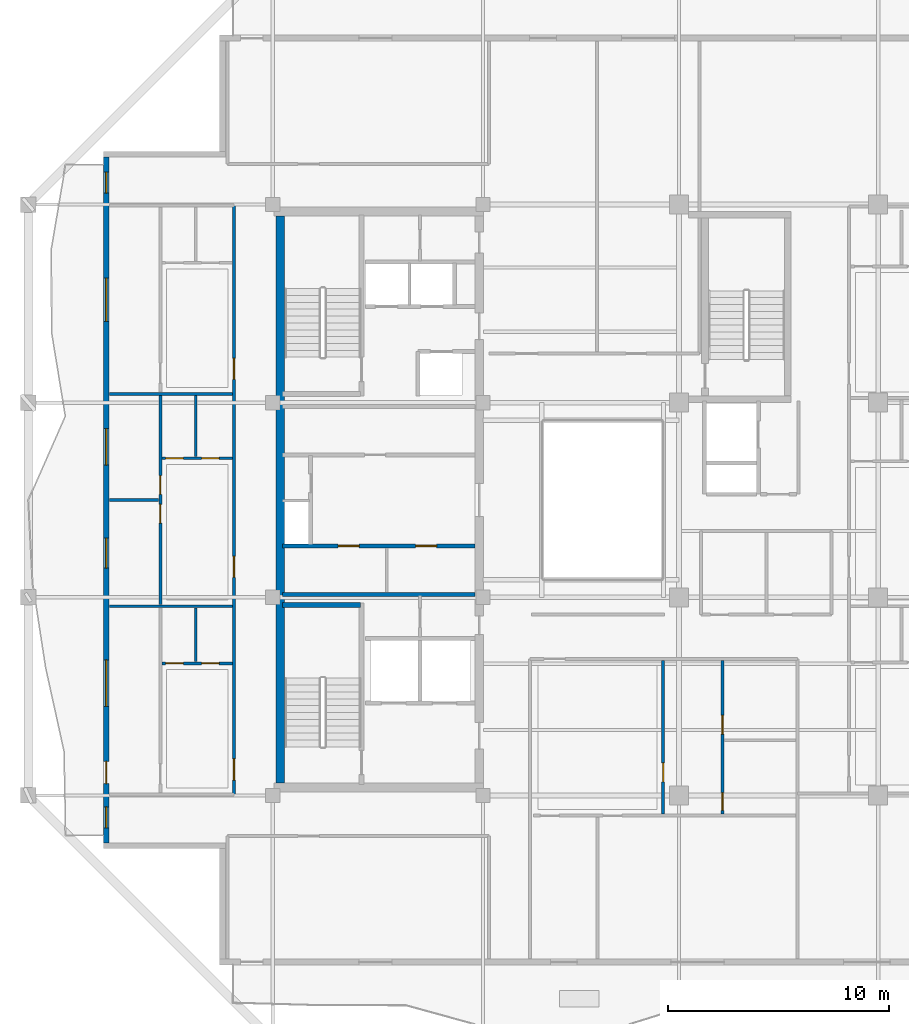
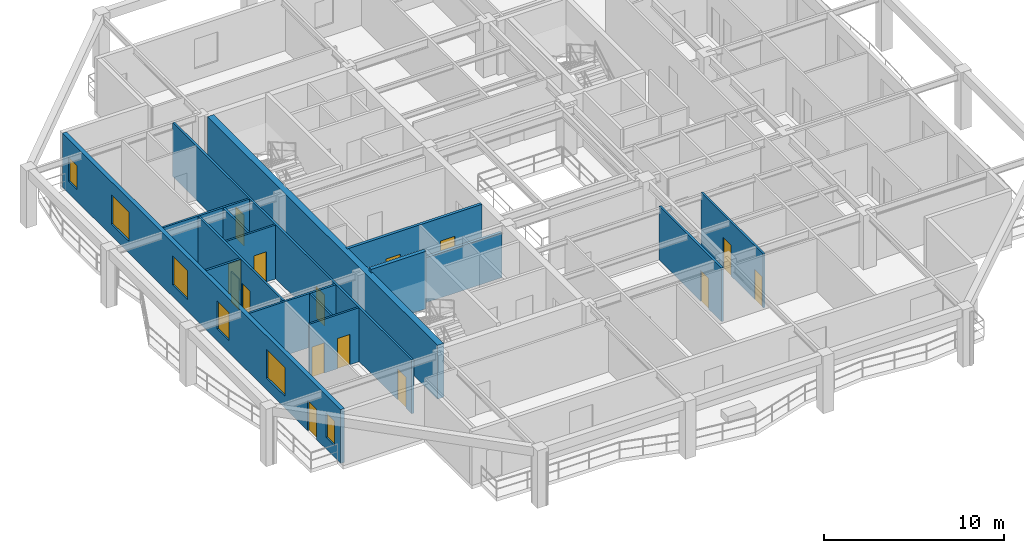
# One storey, part 3 of 13: 16 walls, 15 doors, 6 windows, 21 openings.
"""IFC4 building model written with IfcOpenShell, lengths in metres."""

from ifc_helpers import new_model, si_unit, direction, frame, frame_2d, origin, place, context, subcontext, project, spatial, rectangle, extrude, material, layer, layer_set, type_object, element, fill, save


model = new_model("IFC4")

# Units and contexts
model_context = context("Model", 3, precision=1e-05, world=origin(), true_north=direction((0.0, 1.0)))
body_context = subcontext(model_context, "Body", "Model", "MODEL_VIEW")
ifc_project = project(units=[si_unit("LENGTHUNIT", "METRE"), si_unit("AREAUNIT", "SQUARE_METRE"), si_unit("VOLUMEUNIT", "CUBIC_METRE"), si_unit("PLANEANGLEUNIT", "RADIAN"), si_unit("MASSUNIT", "GRAM", prefix="KILO")], contexts=[model_context])

# Site, building, storey
site_placement = place(None, origin())
site = spatial("IfcSite", under=ifc_project, at=site_placement, CompositionType="ELEMENT")
building_placement = place(site_placement, origin())
building = spatial("IfcBuilding", under=site, at=building_placement, Name="Kundavana Baori Tower", CompositionType="ELEMENT")
storey_placement = place(building_placement, frame((0.0, 0.0, 225.800048828125)))
storey = spatial("IfcBuildingStorey", under=building, at=storey_placement, Name="L55", CompositionType="ELEMENT", Elevation=225.800048828125)

# Walls
ifc_material_1 = material(Name="Concrete C50/60", Category="concrete")
ifc_layer_1 = layer(ifc_material_1, 0.39990234375, Name="WL-CORE-400")
ifc_layer_set_1 = layer_set([ifc_layer_1], Name="Concrete C50/60")
wall_type_1 = type_object("IfcWallType", Name="WL-CORE-400", PredefinedType="SHEAR", material=ifc_layer_set_1)
wall_1_placement = place(storey_placement, frame((15.7900390625, 15.81005859375, 0.0), z_axis=(0.0, 0.0, 1.0), x_axis=(0.0, 1.0, 0.0)))
element("IfcWall", 1, at=wall_1_placement, inside=storey, type_object=wall_type_1, Name="L55 Offset Core West Shear Wall", PredefinedType="SHEAR", context=body_context, shape_type="SweptSolid", body=[
    extrude(rectangle(XDim=25.6298828125, YDim=0.39990234375, at=frame_2d((12.81494140625, 0.0))), origin(), (0.0, 0.0, 1.0), 3.659912109375),
])
wall_2_placement = place(storey_placement, frame((15.89990234375, 23.860107421875, 0.0), z_axis=(0.0, 0.0, 1.0), x_axis=(1.0, 0.0, 0.0)))
element("IfcWall", 2, at=wall_2_placement, inside=storey, type_object=wall_type_1, Name="WL-L55-ST1-N", PredefinedType="SHEAR", context=body_context, shape_type="SweptSolid", body=[
    extrude(rectangle(XDim=3.52001953125, YDim=0.239990234375, at=frame_2d((1.760009765625, 0.0))), origin(), (0.0, 0.0, 1.0), 3.89990234375),
])

# Wall, openings, door, windows
ifc_material_2 = material(Name="Kiln-Fired Terracotta Brick-Slip Masonry on Concrete C40/50", Category="masonry")
ifc_layer_2 = layer(ifc_material_2, 0.260009765625, Name="WL-EXT-BRK-260")
ifc_layer_set_2 = layer_set([ifc_layer_2], Name="Kiln-Fired Terracotta Brick-Slip Masonry on Concrete C40/50")
wall_type_2 = type_object("IfcWallType", Name="WL-EXT-BRK-260", PredefinedType="SOLIDWALL", material=ifc_layer_set_2)
wall_3_placement = place(storey_placement, frame((7.929931640625, 44.090087890625, 0.0), z_axis=(0.0, 0.0, 1.0), x_axis=(0.0, -1.0, 0.0)))
wall_3 = element("IfcWall", 3, at=wall_3_placement, inside=storey, type_object=wall_type_2, Name="L55 Exterior Insulated Facade Wall 10", PredefinedType="SOLIDWALL", context=body_context, shape_type="SweptSolid", body=[
    extrude(rectangle(XDim=30.97998046875, YDim=0.260009765625, at=frame_2d((15.489990234375, 0.0))), origin(), (0.0, 0.0, 1.0), 3.659912109375),
])
opening_1_placement = place(wall_3_placement, frame((29.35498046875, 0.0, 0.800048828125)))
opening_1 = element("IfcOpeningElement", 4, at=opening_1_placement, cuts=wall_3, Name="Opening W-13", PredefinedType="OPENING", context=body_context, shape_type="SweptSolid", body=[
    extrude(rectangle(XDim=0.949951171875, YDim=1.64990234375, at=frame_2d((0.47509765625, 0.824951171875))), frame((0.0, 0.14013671875, 0.0), z_axis=(0.0, -1.0, 0.0), x_axis=(1.0, 0.0, 0.0)), (0.0, 0.0, 1.0), 0.280029296875),
])
opening_2_placement = place(wall_3_placement, frame((27.300048828125, 0.0, 0.0)))
opening_2 = element("IfcOpeningElement", 5, at=opening_2_placement, cuts=wall_3, Name="Opening BD-1", PredefinedType="OPENING", context=body_context, shape_type="SweptSolid", body=[
    extrude(rectangle(XDim=1.0, YDim=2.050048828125, at=frame_2d((0.5, 1.02490234375))), frame((0.0, 0.14013671875, 0.0), z_axis=(0.0, -1.0, 0.0), x_axis=(1.0, 0.0, 0.0)), (0.0, 0.0, 1.0), 0.280029296875),
])
opening_3_placement = place(wall_3_placement, frame((22.715087890625, 0.0, 0.800048828125)))
opening_3 = element("IfcOpeningElement", 6, at=opening_3_placement, cuts=wall_3, Name="Opening W-05", PredefinedType="OPENING", context=body_context, shape_type="SweptSolid", body=[
    extrude(rectangle(XDim=2.10009765625, YDim=1.949951171875, at=frame_2d((1.050048828125, 0.97509765625))), frame((0.0, 0.14013671875, 0.0), z_axis=(0.0, -1.0, 0.0), x_axis=(1.0, 0.0, 0.0)), (0.0, 0.0, 1.0), 0.280029296875),
])
opening_4_placement = place(wall_3_placement, frame((17.215087890625, 0.0, 0.800048828125)))
opening_4 = element("IfcOpeningElement", 7, at=opening_4_placement, cuts=wall_3, Name="Opening W-07", PredefinedType="OPENING", context=body_context, shape_type="SweptSolid", body=[
    extrude(rectangle(XDim=1.35009765625, YDim=1.89990234375, at=frame_2d((0.675048828125, 0.949951171875))), frame((0.0, 0.14013671875, 0.0), z_axis=(0.0, -1.0, 0.0), x_axis=(1.0, 0.0, 0.0)), (0.0, 0.0, 1.0), 0.280029296875),
])
opening_5_placement = place(wall_3_placement, frame((12.264892578125, 0.0, 0.800048828125)))
opening_5 = element("IfcOpeningElement", 8, at=opening_5_placement, cuts=wall_3, Name="Opening W-08", PredefinedType="OPENING", context=body_context, shape_type="SweptSolid", body=[
    extrude(rectangle(XDim=1.64990234375, YDim=1.949951171875, at=frame_2d((0.824951171875, 0.97509765625))), frame((0.0, 0.14013671875, 0.0), z_axis=(0.0, -1.0, 0.0), x_axis=(1.0, 0.0, 0.0)), (0.0, 0.0, 1.0), 0.280029296875),
])
opening_6_placement = place(wall_3_placement, frame((5.465087890625, 0.0, 0.800048828125)))
opening_6 = element("IfcOpeningElement", 9, at=opening_6_placement, cuts=wall_3, Name="Opening W-09", PredefinedType="OPENING", context=body_context, shape_type="SweptSolid", body=[
    extrude(rectangle(XDim=1.949951171875, YDim=2.0, at=frame_2d((0.97509765625, 1.0))), frame((0.0, 0.14013671875, 0.0), z_axis=(0.0, -1.0, 0.0), x_axis=(1.0, 0.0, 0.0)), (0.0, 0.0, 1.0), 0.280029296875),
])
opening_7_placement = place(wall_3_placement, frame((0.675048828125, 0.0, 0.800048828125)))
opening_7 = element("IfcOpeningElement", 10, at=opening_7_placement, cuts=wall_3, Name="Opening W-13", PredefinedType="OPENING", context=body_context, shape_type="SweptSolid", body=[
    extrude(rectangle(XDim=0.949951171875, YDim=1.64990234375, at=frame_2d((0.47509765625, 0.824951171875))), frame((0.0, 0.14013671875, 0.0), z_axis=(0.0, -1.0, 0.0), x_axis=(1.0, 0.0, 0.0)), (0.0, 0.0, 1.0), 0.280029296875),
])
ifc_material_3 = material(Name="Architectural Patinated Bronze Metalwork")
door_type_1 = type_object("IfcDoorType", Name="DR-EXT-LOG-1000", OperationType="NOTDEFINED", PredefinedType="DOOR", material=ifc_material_3)
door_1_placement = place(opening_2_placement, frame((1.0, 0.0, 0.0), z_axis=(0.0, 0.0, 1.0), x_axis=(-1.0, 0.0, 0.0)))
door_1 = element("IfcDoor", 11, at=door_1_placement, inside=storey, type_object=door_type_1, Name="L55 Loggia Balcony Access Door W", OperationType="SINGLE_SWING_LEFT", OverallHeight=2.050048828125, OverallWidth=1.0, PredefinedType="DOOR", context=body_context, shape_type="SweptSolid", body=[
    extrude(rectangle(XDim=1.0, YDim=2.050048828125, at=frame_2d((0.5, 1.02490234375))), frame((0.0, 0.02490234375, 0.0), z_axis=(0.0, -1.0, 0.0), x_axis=(1.0, 0.0, 0.0)), (0.0, 0.0, 1.0), 0.050048828125),
])
fill(opening_2, door_1)
ifc_material_4 = material(Name="Double-Glazed Solar-Control Low-E Insulated Glass", Category="glass")
window_type_1 = type_object("IfcWindowType", Name="WIN-LOG-1350x1900", PartitioningType="SINGLE_PANEL", PredefinedType="WINDOW", material=ifc_material_4)
window_1_placement = place(opening_4_placement, origin())
window_1 = element("IfcWindow", 12, at=window_1_placement, inside=storey, type_object=window_type_1, Name="L55 Recessed Loggia Window W-3", OverallHeight=1.89990234375, OverallWidth=1.35009765625, PartitioningType="SINGLE_PANEL", PredefinedType="WINDOW", context=body_context, shape_type="SweptSolid", body=[
    extrude(rectangle(XDim=1.35009765625, YDim=1.89990234375, at=frame_2d((0.675048828125, 0.949951171875))), frame((0.0, 0.030029296875, 0.0), z_axis=(0.0, -1.0, 0.0), x_axis=(1.0, 0.0, 0.0)), (0.0, 0.0, 1.0), 0.06005859375),
])
fill(opening_4, window_1)
ifc_material_5 = material(Name="Double-Glazed Solar-Control Low-E Insulated Glass", Category="glass")
window_type_2 = type_object("IfcWindowType", Name="WIN-LOG-1650x1950", PartitioningType="SINGLE_PANEL", PredefinedType="WINDOW", material=ifc_material_5)
window_2_placement = place(opening_5_placement, origin())
window_2 = element("IfcWindow", 13, at=window_2_placement, inside=storey, type_object=window_type_2, Name="L55 Recessed Loggia Window W-4", OverallHeight=1.949951171875, OverallWidth=1.64990234375, PartitioningType="SINGLE_PANEL", PredefinedType="WINDOW", context=body_context, shape_type="SweptSolid", body=[
    extrude(rectangle(XDim=1.64990234375, YDim=1.949951171875, at=frame_2d((0.824951171875, 0.97509765625))), frame((0.0, 0.030029296875, 0.0), z_axis=(0.0, -1.0, 0.0), x_axis=(1.0, 0.0, 0.0)), (0.0, 0.0, 1.0), 0.06005859375),
])
fill(opening_5, window_2)
ifc_material_6 = material(Name="Double-Glazed Solar-Control Low-E Insulated Glass", Category="glass")
window_type_3 = type_object("IfcWindowType", Name="WIN-LOG-1950x2000", PartitioningType="SINGLE_PANEL", PredefinedType="WINDOW", material=ifc_material_6)
window_3_placement = place(opening_6_placement, origin())
window_3 = element("IfcWindow", 14, at=window_3_placement, inside=storey, type_object=window_type_3, Name="L55 Recessed Loggia Window W-5", OverallHeight=2.0, OverallWidth=1.949951171875, PartitioningType="SINGLE_PANEL", PredefinedType="WINDOW", context=body_context, shape_type="SweptSolid", body=[
    extrude(rectangle(XDim=1.949951171875, YDim=2.0, at=frame_2d((0.97509765625, 1.0))), frame((0.0, 0.030029296875, 0.0), z_axis=(0.0, -1.0, 0.0), x_axis=(1.0, 0.0, 0.0)), (0.0, 0.0, 1.0), 0.06005859375),
])
fill(opening_6, window_3)
ifc_material_7 = material(Name="Double-Glazed Solar-Control Low-E Insulated Glass", Category="glass")
window_type_4 = type_object("IfcWindowType", Name="WIN-LOG-2100x1950", PartitioningType="SINGLE_PANEL", PredefinedType="WINDOW", material=ifc_material_7)
window_4_placement = place(opening_3_placement, origin())
window_4 = element("IfcWindow", 15, at=window_4_placement, inside=storey, type_object=window_type_4, Name="L55 Recessed Loggia Window W-2", OverallHeight=1.949951171875, OverallWidth=2.10009765625, PartitioningType="SINGLE_PANEL", PredefinedType="WINDOW", context=body_context, shape_type="SweptSolid", body=[
    extrude(rectangle(XDim=2.10009765625, YDim=1.949951171875, at=frame_2d((1.050048828125, 0.97509765625))), frame((0.0, 0.030029296875, 0.0), z_axis=(0.0, -1.0, 0.0), x_axis=(1.0, 0.0, 0.0)), (0.0, 0.0, 1.0), 0.06005859375),
])
fill(opening_3, window_4)
ifc_material_8 = material(Name="Double-Glazed Solar-Control Low-E Insulated Glass", Category="glass")
window_type_5 = type_object("IfcWindowType", Name="WIN-LOG-950x1650", PartitioningType="SINGLE_PANEL", PredefinedType="WINDOW", material=ifc_material_8)
window_5_placement = place(opening_1_placement, origin())
window_5 = element("IfcWindow", 16, at=window_5_placement, inside=storey, type_object=window_type_5, Name="L55 Recessed Loggia Window W-1", OverallHeight=1.64990234375, OverallWidth=0.949951171875, PartitioningType="SINGLE_PANEL", PredefinedType="WINDOW", context=body_context, shape_type="SweptSolid", body=[
    extrude(rectangle(XDim=0.949951171875, YDim=1.64990234375, at=frame_2d((0.47509765625, 0.824951171875))), frame((0.0, 0.030029296875, 0.0), z_axis=(0.0, -1.0, 0.0), x_axis=(1.0, 0.0, 0.0)), (0.0, 0.0, 1.0), 0.06005859375),
])
fill(opening_1, window_5)
window_6_placement = place(opening_7_placement, origin())
window_6 = element("IfcWindow", 17, at=window_6_placement, inside=storey, type_object=window_type_5, Name="L55 Recessed Loggia Window W-6", OverallHeight=1.64990234375, OverallWidth=0.949951171875, PartitioningType="SINGLE_PANEL", PredefinedType="WINDOW", context=body_context, shape_type="SweptSolid", body=[
    extrude(rectangle(XDim=0.949951171875, YDim=1.64990234375, at=frame_2d((0.47509765625, 0.824951171875))), frame((0.0, 0.030029296875, 0.0), z_axis=(0.0, -1.0, 0.0), x_axis=(1.0, 0.0, 0.0)), (0.0, 0.0, 1.0), 0.06005859375),
])
fill(opening_7, window_6)

# Wall, openings, doors
ifc_material_9 = material(Name="Acoustic Gypsum Plasterboard on Galvanised Steel Studs", Category="steel")
ifc_layer_3 = layer(ifc_material_9, 0.135009765625, Name="WL-PART-135")
ifc_layer_set_3 = layer_set([ifc_layer_3], Name="Acoustic Gypsum Plasterboard on Galvanised Steel Studs")
wall_type_3 = type_object("IfcWallType", Name="WL-PART-135", PredefinedType="PARTITIONING", material=ifc_layer_set_3)
wall_4_placement = place(storey_placement, frame((13.699951171875, 15.300048828125, 0.0), z_axis=(0.0, 0.0, 1.0), x_axis=(0.0, 1.0, 0.0)))
wall_4 = element("IfcWall", 18, at=wall_4_placement, inside=storey, type_object=wall_type_3, Name="WL-L55-RW", PredefinedType="PARTITIONING", context=body_context, shape_type="SweptSolid", body=[
    extrude(rectangle(XDim=26.599853515625, YDim=0.135009765625, at=frame_2d((13.2998046875, 0.0))), origin(), (0.0, 0.0, 1.0), 3.659912109375),
])
opening_8_placement = place(wall_4_placement, frame((0.64990234375, 0.0, 0.0)))
opening_8 = element("IfcOpeningElement", 19, at=opening_8_placement, cuts=wall_4, Name="Opening FD-095", PredefinedType="OPENING", context=body_context, shape_type="SweptSolid", body=[
    extrude(rectangle(XDim=0.949951171875, YDim=2.10009765625, at=frame_2d((0.47509765625, 1.050048828125))), frame((0.0, 0.07763671875, 0.0), z_axis=(0.0, -1.0, 0.0), x_axis=(1.0, 0.0, 0.0)), (0.0, 0.0, 1.0), 0.155029296875),
])
opening_9_placement = place(wall_4_placement, frame((9.800048828125, 0.0, 0.0)))
opening_9 = element("IfcOpeningElement", 20, at=opening_9_placement, cuts=wall_4, Name="Opening FD-095", PredefinedType="OPENING", context=body_context, shape_type="SweptSolid", body=[
    extrude(rectangle(XDim=0.949951171875, YDim=2.10009765625, at=frame_2d((0.47509765625, 1.050048828125))), frame((0.0, 0.07763671875, 0.0), z_axis=(0.0, -1.0, 0.0), x_axis=(1.0, 0.0, 0.0)), (0.0, 0.0, 1.0), 0.155029296875),
])
opening_10_placement = place(wall_4_placement, frame((18.75, 0.0, 0.0)))
opening_10 = element("IfcOpeningElement", 21, at=opening_10_placement, cuts=wall_4, Name="Opening FD-095", PredefinedType="OPENING", context=body_context, shape_type="SweptSolid", body=[
    extrude(rectangle(XDim=0.949951171875, YDim=2.10009765625, at=frame_2d((0.47509765625, 1.050048828125))), frame((0.0, 0.07763671875, 0.0), z_axis=(0.0, -1.0, 0.0), x_axis=(1.0, 0.0, 0.0)), (0.0, 0.0, 1.0), 0.155029296875),
])
ifc_material_10 = material(Name="Engineered Teak Fire-Rated Timber Door Leaf", Category="wood")
door_type_2 = type_object("IfcDoorType", Name="DR-FD60-950", OperationType="NOTDEFINED", PredefinedType="DOOR", material=ifc_material_10)
door_2_placement = place(opening_8_placement, frame((0.949951171875, 0.0, 0.0), z_axis=(0.0, 0.0, 1.0), x_axis=(-1.0, 0.0, 0.0)))
door_2 = element("IfcDoor", 22, at=door_2_placement, inside=storey, type_object=door_type_2, Name="DR-L55-W1-ENT", OperationType="SINGLE_SWING_LEFT", OverallHeight=2.10009765625, OverallWidth=0.949951171875, PredefinedType="DOOR", context=body_context, shape_type="SweptSolid", body=[
    extrude(rectangle(XDim=0.949951171875, YDim=2.10009765625, at=frame_2d((0.47509765625, 1.050048828125))), frame((0.0, 0.02490234375, 0.0), z_axis=(0.0, -1.0, 0.0), x_axis=(1.0, 0.0, 0.0)), (0.0, 0.0, 1.0), 0.050048828125),
])
fill(opening_8, door_2)
door_3_placement = place(opening_9_placement, frame((0.949951171875, 0.0, 0.0), z_axis=(0.0, 0.0, 1.0), x_axis=(-1.0, 0.0, 0.0)))
door_3 = element("IfcDoor", 23, at=door_3_placement, inside=storey, type_object=door_type_2, Name="DR-L55-W2-ENT", OperationType="SINGLE_SWING_LEFT", OverallHeight=2.10009765625, OverallWidth=0.949951171875, PredefinedType="DOOR", context=body_context, shape_type="SweptSolid", body=[
    extrude(rectangle(XDim=0.949951171875, YDim=2.10009765625, at=frame_2d((0.47509765625, 1.050048828125))), frame((0.0, 0.02490234375, 0.0), z_axis=(0.0, -1.0, 0.0), x_axis=(1.0, 0.0, 0.0)), (0.0, 0.0, 1.0), 0.050048828125),
])
fill(opening_9, door_3)
door_4_placement = place(opening_10_placement, frame((0.949951171875, 0.0, 0.0), z_axis=(0.0, 0.0, 1.0), x_axis=(-1.0, 0.0, 0.0)))
door_4 = element("IfcDoor", 24, at=door_4_placement, inside=storey, type_object=door_type_2, Name="DR-L55-W3-ENT", OperationType="SINGLE_SWING_LEFT", OverallHeight=2.10009765625, OverallWidth=0.949951171875, PredefinedType="DOOR", context=body_context, shape_type="SweptSolid", body=[
    extrude(rectangle(XDim=0.949951171875, YDim=2.10009765625, at=frame_2d((0.47509765625, 1.050048828125))), frame((0.0, 0.02490234375, 0.0), z_axis=(0.0, -1.0, 0.0), x_axis=(1.0, 0.0, 0.0)), (0.0, 0.0, 1.0), 0.050048828125),
])
fill(opening_10, door_4)

# Wall
wall_5_placement = place(storey_placement, frame((8.080078125, 23.800048828125, 0.0), z_axis=(0.0, 0.0, 1.0), x_axis=(1.0, 0.0, 0.0)))
element("IfcWall", 25, at=wall_5_placement, inside=storey, type_object=wall_type_3, Name="WL-L55-RWD1", PredefinedType="PARTITIONING", context=body_context, shape_type="SweptSolid", body=[
    extrude(rectangle(XDim=5.559814453125, YDim=0.135009765625, at=frame_2d((2.77978515625, 0.0))), origin(), (0.0, 0.0, 1.0), 3.659912109375),
])

# Wall, openings, doors
wall_6_placement = place(storey_placement, frame((10.3701171875, 23.8798828125, 0.0), z_axis=(0.0, 0.0, 1.0), x_axis=(0.0, 1.0, 0.0)))
wall_6 = element("IfcWall", 26, at=wall_6_placement, inside=storey, type_object=wall_type_3, Name="WL-L55-W2-VT", PredefinedType="PARTITIONING", context=body_context, shape_type="SweptSolid", body=[
    extrude(rectangle(XDim=9.440185546875, YDim=0.135009765625, at=frame_2d((4.72021484375, 0.0))), origin(), (0.0, 0.0, 1.0), 3.659912109375),
])
opening_11_placement = place(wall_6_placement, frame((3.669921875, 0.0, 0.0)))
opening_11 = element("IfcOpeningElement", 27, at=opening_11_placement, cuts=wall_6, Name="Opening ID-085", PredefinedType="OPENING", context=body_context, shape_type="SweptSolid", body=[
    extrude(rectangle(XDim=0.85009765625, YDim=2.080078125, at=frame_2d((0.425048828125, 1.0400390625))), frame((0.0, 0.07763671875, 0.0), z_axis=(0.0, -1.0, 0.0), x_axis=(1.0, 0.0, 0.0)), (0.0, 0.0, 1.0), 0.155029296875),
])
opening_12_placement = place(wall_6_placement, frame((4.969970703125, 0.0, 0.0)))
opening_12 = element("IfcOpeningElement", 28, at=opening_12_placement, cuts=wall_6, Name="Opening ID-085", PredefinedType="OPENING", context=body_context, shape_type="SweptSolid", body=[
    extrude(rectangle(XDim=0.85009765625, YDim=2.080078125, at=frame_2d((0.425048828125, 1.0400390625))), frame((0.0, 0.07763671875, 0.0), z_axis=(0.0, -1.0, 0.0), x_axis=(1.0, 0.0, 0.0)), (0.0, 0.0, 1.0), 0.155029296875),
])
ifc_material_11 = material(Name="Engineered Teak Solid-Core Timber Veneer", Category="wood")
door_type_3 = type_object("IfcDoorType", Name="DR-INT-850", OperationType="NOTDEFINED", PredefinedType="DOOR", material=ifc_material_11)
door_5_placement = place(opening_11_placement, frame((0.85009765625, 0.0, 0.0), z_axis=(0.0, 0.0, 1.0), x_axis=(-1.0, 0.0, 0.0)))
door_5 = element("IfcDoor", 29, at=door_5_placement, inside=storey, type_object=door_type_3, Name="DR-L55-W2-B1", OperationType="SINGLE_SWING_LEFT", OverallHeight=2.080078125, OverallWidth=0.85009765625, PredefinedType="DOOR", context=body_context, shape_type="SweptSolid", body=[
    extrude(rectangle(XDim=0.85009765625, YDim=2.080078125, at=frame_2d((0.425048828125, 1.0400390625))), frame((0.0, 0.02490234375, 0.0), z_axis=(0.0, -1.0, 0.0), x_axis=(1.0, 0.0, 0.0)), (0.0, 0.0, 1.0), 0.050048828125),
])
fill(opening_11, door_5)
door_6_placement = place(opening_12_placement, frame((0.85009765625, 0.0, 0.0), z_axis=(0.0, 0.0, 1.0), x_axis=(-1.0, 0.0, 0.0)))
door_6 = element("IfcDoor", 30, at=door_6_placement, inside=storey, type_object=door_type_3, Name="DR-L55-W2-B2", OperationType="SINGLE_SWING_RIGHT", OverallHeight=2.080078125, OverallWidth=0.85009765625, PredefinedType="DOOR", context=body_context, shape_type="SweptSolid", body=[
    extrude(rectangle(XDim=0.85009765625, YDim=2.080078125, at=frame_2d((0.425048828125, 1.0400390625))), frame((0.0, 0.02490234375, 0.0), z_axis=(0.0, -1.0, 0.0), x_axis=(1.0, 0.0, 0.0)), (0.0, 0.0, 1.0), 0.050048828125),
])
fill(opening_12, door_6)

# Walls
wall_7_placement = place(storey_placement, frame((8.080078125, 28.60009765625, 0.0), z_axis=(0.0, 0.0, 1.0), x_axis=(1.0, 0.0, 0.0)))
element("IfcWall", 31, at=wall_7_placement, inside=storey, type_object=wall_type_3, Name="WL-L55-W2-BDH", PredefinedType="PARTITIONING", context=body_context, shape_type="SweptSolid", body=[
    extrude(rectangle(XDim=2.2099609375, YDim=0.135009765625, at=frame_2d((1.10498046875, 0.0))), origin(), (0.0, 0.0, 1.0), 3.659912109375),
])
wall_8_placement = place(storey_placement, frame((8.080078125, 33.39990234375, 0.0), z_axis=(0.0, 0.0, 1.0), x_axis=(1.0, 0.0, 0.0)))
element("IfcWall", 32, at=wall_8_placement, inside=storey, type_object=wall_type_3, Name="WL-L55-RWD2", PredefinedType="PARTITIONING", context=body_context, shape_type="SweptSolid", body=[
    extrude(rectangle(XDim=5.559814453125, YDim=0.135009765625, at=frame_2d((2.77978515625, 0.0))), origin(), (0.0, 0.0, 1.0), 3.659912109375),
])

# Wall, opening, door
wall_9_placement = place(storey_placement, frame((33.090087890625, 14.4208984375, 0.0), z_axis=(0.0, 0.0, 1.0), x_axis=(0.0, 1.0, 0.0)))
wall_9 = element("IfcWall", 33, at=wall_9_placement, inside=storey, type_object=wall_type_3, Name="WL-L55-S1-STU", PredefinedType="PARTITIONING", context=body_context, shape_type="SweptSolid", body=[
    extrude(rectangle(XDim=6.919189453125, YDim=0.135009765625, at=frame_2d((3.45947265625, 0.0))), origin(), (0.0, 0.0, 1.0), 3.659912109375),
])
opening_13_placement = place(wall_9_placement, frame((1.449951171875, 0.0, 0.0)))
opening_13 = element("IfcOpeningElement", 34, at=opening_13_placement, cuts=wall_9, Name="Opening ID-085", PredefinedType="OPENING", context=body_context, shape_type="SweptSolid", body=[
    extrude(rectangle(XDim=0.85009765625, YDim=2.080078125, at=frame_2d((0.425048828125, 1.0400390625))), frame((0.0, 0.07763671875, 0.0), z_axis=(0.0, -1.0, 0.0), x_axis=(1.0, 0.0, 0.0)), (0.0, 0.0, 1.0), 0.155029296875),
])
door_7_placement = place(opening_13_placement, origin())
door_7 = element("IfcDoor", 35, at=door_7_placement, inside=storey, type_object=door_type_3, Name="DR-L55-S1-STD", OperationType="SINGLE_SWING_LEFT", OverallHeight=2.080078125, OverallWidth=0.85009765625, PredefinedType="DOOR", context=body_context, shape_type="SweptSolid", body=[
    extrude(rectangle(XDim=0.85009765625, YDim=2.080078125, at=frame_2d((0.425048828125, 1.0400390625))), frame((0.0, 0.02490234375, 0.0), z_axis=(0.0, -1.0, 0.0), x_axis=(1.0, 0.0, 0.0)), (0.0, 0.0, 1.0), 0.050048828125),
])
fill(opening_13, door_7)

# Wall, openings, doors
ifc_material_12 = material(Name="Autoclaved Aerated Concrete Blockwork Masonry", Category="masonry")
ifc_layer_4 = layer(ifc_material_12, 0.179931640625, Name="WL-SHAFT-180")
ifc_layer_set_4 = layer_set([ifc_layer_4], Name="Autoclaved Aerated Concrete Blockwork Masonry")
wall_type_4 = type_object("IfcWallType", Name="WL-SHAFT-180", PredefinedType="SOLIDWALL", material=ifc_layer_set_4)
wall_10_placement = place(storey_placement, frame((15.89990234375, 26.52001953125, 0.0), z_axis=(0.0, 0.0, 1.0), x_axis=(1.0, 0.0, 0.0)))
wall_10 = element("IfcWall", 36, at=wall_10_placement, inside=storey, type_object=wall_type_4, Name="WL-L55-LPLOW-N", PredefinedType="SOLIDWALL", context=body_context, shape_type="SweptSolid", body=[
    extrude(rectangle(XDim=8.68017578125, YDim=0.179931640625, at=frame_2d((4.340087890625, 0.0))), origin(), (0.0, 0.0, 1.0), 3.659912109375),
])
opening_14_placement = place(wall_10_placement, frame((2.5, 0.0, 0.0)))
opening_14 = element("IfcOpeningElement", 37, at=opening_14_placement, cuts=wall_10, Name="Opening FD-095", PredefinedType="OPENING", context=body_context, shape_type="SweptSolid", body=[
    extrude(rectangle(XDim=0.949951171875, YDim=2.10009765625, at=frame_2d((0.47509765625, 1.050048828125))), frame((0.0, 0.10009765625, 0.0), z_axis=(0.0, -1.0, 0.0), x_axis=(1.0, 0.0, 0.0)), (0.0, 0.0, 1.0), 0.199951171875),
])
opening_15_placement = place(wall_10_placement, frame((6.0, 0.0, 0.0)))
opening_15 = element("IfcOpeningElement", 38, at=opening_15_placement, cuts=wall_10, Name="Opening FD-095", PredefinedType="OPENING", context=body_context, shape_type="SweptSolid", body=[
    extrude(rectangle(XDim=0.949951171875, YDim=2.10009765625, at=frame_2d((0.47509765625, 1.050048828125))), frame((0.0, 0.10009765625, 0.0), z_axis=(0.0, -1.0, 0.0), x_axis=(1.0, 0.0, 0.0)), (0.0, 0.0, 1.0), 0.199951171875),
])
door_8_placement = place(opening_14_placement, origin())
door_8 = element("IfcDoor", 39, at=door_8_placement, inside=storey, type_object=door_type_2, Name="DR-L55-FRLOW1", OperationType="SINGLE_SWING_LEFT", OverallHeight=2.10009765625, OverallWidth=0.949951171875, PredefinedType="DOOR", context=body_context, shape_type="SweptSolid", body=[
    extrude(rectangle(XDim=0.949951171875, YDim=2.10009765625, at=frame_2d((0.47509765625, 1.050048828125))), frame((0.0, 0.02490234375, 0.0), z_axis=(0.0, -1.0, 0.0), x_axis=(1.0, 0.0, 0.0)), (0.0, 0.0, 1.0), 0.050048828125),
])
fill(opening_14, door_8)
door_9_placement = place(opening_15_placement, origin())
door_9 = element("IfcDoor", 40, at=door_9_placement, inside=storey, type_object=door_type_2, Name="DR-L55-FRLOW2", OperationType="SINGLE_SWING_RIGHT", OverallHeight=2.10009765625, OverallWidth=0.949951171875, PredefinedType="DOOR", context=body_context, shape_type="SweptSolid", body=[
    extrude(rectangle(XDim=0.949951171875, YDim=2.10009765625, at=frame_2d((0.47509765625, 1.050048828125))), frame((0.0, 0.02490234375, 0.0), z_axis=(0.0, -1.0, 0.0), x_axis=(1.0, 0.0, 0.0)), (0.0, 0.0, 1.0), 0.050048828125),
])
fill(opening_15, door_9)

# Wall
wall_11_placement = place(storey_placement, frame((15.89990234375, 24.330078125, 0.0), z_axis=(0.0, 0.0, 1.0), x_axis=(1.0, 0.0, 0.0)))
element("IfcWall", 41, at=wall_11_placement, inside=storey, type_object=wall_type_4, Name="WL-L55-LPLOW-S", PredefinedType="SOLIDWALL", context=body_context, shape_type="SweptSolid", body=[
    extrude(rectangle(XDim=8.68017578125, YDim=0.179931640625, at=frame_2d((4.340087890625, 0.0))), origin(), (0.0, 0.0, 1.0), 3.06005859375),
])

# Wall, openings, doors
ifc_material_13 = material(Name="Autoclaved Aerated Concrete Blockwork Masonry", Category="masonry")
ifc_layer_5 = layer(ifc_material_13, 0.125, Name="WL-WET-120")
ifc_layer_set_5 = layer_set([ifc_layer_5], Name="Autoclaved Aerated Concrete Blockwork Masonry")
wall_type_5 = type_object("IfcWallType", Name="WL-WET-120", PredefinedType="PLUMBINGWALL", material=ifc_layer_set_5)
wall_12_placement = place(storey_placement, frame((10.449951171875, 21.218017578125, 0.0), z_axis=(0.0, 0.0, 1.0), x_axis=(1.0, 0.0, 0.0)))
wall_12 = element("IfcWall", 42, at=wall_12_placement, inside=storey, type_object=wall_type_5, Name="WL-L55-W1-KH", PredefinedType="PLUMBINGWALL", context=body_context, shape_type="SweptSolid", body=[
    extrude(rectangle(XDim=3.170166015625, YDim=0.125, at=frame_2d((1.5849609375, 0.0))), origin(), (0.0, 0.0, 1.0), 3.659912109375),
])
opening_16_placement = place(wall_12_placement, frame((0.159912109375, 0.0, 0.0)))
opening_16 = element("IfcOpeningElement", 43, at=opening_16_placement, cuts=wall_12, Name="Opening WD-080", PredefinedType="OPENING", context=body_context, shape_type="SweptSolid", body=[
    extrude(rectangle(XDim=0.800048828125, YDim=2.050048828125, at=frame_2d((0.39990234375, 1.02490234375))), frame((0.0, 0.072509765625, 0.0), z_axis=(0.0, -1.0, 0.0), x_axis=(1.0, 0.0, 0.0)), (0.0, 0.0, 1.0), 0.14501953125),
])
opening_17_placement = place(wall_12_placement, frame((1.781982421875, 0.0, 0.0)))
opening_17 = element("IfcOpeningElement", 44, at=opening_17_placement, cuts=wall_12, Name="Opening WD-080", PredefinedType="OPENING", context=body_context, shape_type="SweptSolid", body=[
    extrude(rectangle(XDim=0.800048828125, YDim=2.050048828125, at=frame_2d((0.39990234375, 1.02490234375))), frame((0.0, 0.072509765625, 0.0), z_axis=(0.0, -1.0, 0.0), x_axis=(1.0, 0.0, 0.0)), (0.0, 0.0, 1.0), 0.14501953125),
])
ifc_material_14 = material(Name="Engineered Teak Solid-Core Timber Veneer", Category="wood")
door_type_4 = type_object("IfcDoorType", Name="DR-WET-800", OperationType="NOTDEFINED", PredefinedType="DOOR", material=ifc_material_14)
door_10_placement = place(opening_16_placement, origin())
door_10 = element("IfcDoor", 45, at=door_10_placement, inside=storey, type_object=door_type_4, Name="DR-L55-W1-BT", OperationType="SINGLE_SWING_LEFT", OverallHeight=2.050048828125, OverallWidth=0.800048828125, PredefinedType="DOOR", context=body_context, shape_type="SweptSolid", body=[
    extrude(rectangle(XDim=0.800048828125, YDim=2.050048828125, at=frame_2d((0.39990234375, 1.02490234375))), frame((0.0, 0.02490234375, 0.0), z_axis=(0.0, -1.0, 0.0), x_axis=(1.0, 0.0, 0.0)), (0.0, 0.0, 1.0), 0.050048828125),
])
fill(opening_16, door_10)
door_11_placement = place(opening_17_placement, origin())
door_11 = element("IfcDoor", 46, at=door_11_placement, inside=storey, type_object=door_type_4, Name="DR-L55-W1-KT", OperationType="SINGLE_SWING_RIGHT", OverallHeight=2.050048828125, OverallWidth=0.800048828125, PredefinedType="DOOR", context=body_context, shape_type="SweptSolid", body=[
    extrude(rectangle(XDim=0.800048828125, YDim=2.050048828125, at=frame_2d((0.39990234375, 1.02490234375))), frame((0.0, 0.02490234375, 0.0), z_axis=(0.0, -1.0, 0.0), x_axis=(1.0, 0.0, 0.0)), (0.0, 0.0, 1.0), 0.050048828125),
])
fill(opening_17, door_11)

# Wall
wall_13_placement = place(storey_placement, frame((11.971923828125, 21.298095703125, 0.0), z_axis=(0.0, 0.0, 1.0), x_axis=(0.0, 1.0, 0.0)))
element("IfcWall", 47, at=wall_13_placement, inside=storey, type_object=wall_type_5, Name="WL-L55-W1-BV", PredefinedType="PLUMBINGWALL", context=body_context, shape_type="SweptSolid", body=[
    extrude(rectangle(XDim=2.421875, YDim=0.125, at=frame_2d((1.2109375, 0.0))), origin(), (0.0, 0.0, 1.0), 3.659912109375),
])

# Wall, openings, doors
wall_14_placement = place(storey_placement, frame((10.449951171875, 30.488037109375, 0.0), z_axis=(0.0, 0.0, 1.0), x_axis=(1.0, 0.0, 0.0)))
wall_14 = element("IfcWall", 48, at=wall_14_placement, inside=storey, type_object=wall_type_5, Name="WL-L55-W2-KH", PredefinedType="PLUMBINGWALL", context=body_context, shape_type="SweptSolid", body=[
    extrude(rectangle(XDim=3.170166015625, YDim=0.125, at=frame_2d((1.5849609375, 0.0))), origin(), (0.0, 0.0, 1.0), 3.659912109375),
])
opening_18_placement = place(wall_14_placement, frame((0.159912109375, 0.0, 0.0)))
opening_18 = element("IfcOpeningElement", 49, at=opening_18_placement, cuts=wall_14, Name="Opening WD-080", PredefinedType="OPENING", context=body_context, shape_type="SweptSolid", body=[
    extrude(rectangle(XDim=0.800048828125, YDim=2.050048828125, at=frame_2d((0.39990234375, 1.02490234375))), frame((0.0, 0.072509765625, 0.0), z_axis=(0.0, -1.0, 0.0), x_axis=(1.0, 0.0, 0.0)), (0.0, 0.0, 1.0), 0.14501953125),
])
opening_19_placement = place(wall_14_placement, frame((1.781982421875, 0.0, 0.0)))
opening_19 = element("IfcOpeningElement", 50, at=opening_19_placement, cuts=wall_14, Name="Opening WD-080", PredefinedType="OPENING", context=body_context, shape_type="SweptSolid", body=[
    extrude(rectangle(XDim=0.800048828125, YDim=2.050048828125, at=frame_2d((0.39990234375, 1.02490234375))), frame((0.0, 0.072509765625, 0.0), z_axis=(0.0, -1.0, 0.0), x_axis=(1.0, 0.0, 0.0)), (0.0, 0.0, 1.0), 0.14501953125),
])
door_12_placement = place(opening_18_placement, origin())
door_12 = element("IfcDoor", 51, at=door_12_placement, inside=storey, type_object=door_type_4, Name="DR-L55-W2-BT", OperationType="SINGLE_SWING_LEFT", OverallHeight=2.050048828125, OverallWidth=0.800048828125, PredefinedType="DOOR", context=body_context, shape_type="SweptSolid", body=[
    extrude(rectangle(XDim=0.800048828125, YDim=2.050048828125, at=frame_2d((0.39990234375, 1.02490234375))), frame((0.0, 0.02490234375, 0.0), z_axis=(0.0, -1.0, 0.0), x_axis=(1.0, 0.0, 0.0)), (0.0, 0.0, 1.0), 0.050048828125),
])
fill(opening_18, door_12)
door_13_placement = place(opening_19_placement, origin())
door_13 = element("IfcDoor", 52, at=door_13_placement, inside=storey, type_object=door_type_4, Name="DR-L55-W2-KT", OperationType="SINGLE_SWING_RIGHT", OverallHeight=2.050048828125, OverallWidth=0.800048828125, PredefinedType="DOOR", context=body_context, shape_type="SweptSolid", body=[
    extrude(rectangle(XDim=0.800048828125, YDim=2.050048828125, at=frame_2d((0.39990234375, 1.02490234375))), frame((0.0, 0.02490234375, 0.0), z_axis=(0.0, -1.0, 0.0), x_axis=(1.0, 0.0, 0.0)), (0.0, 0.0, 1.0), 0.050048828125),
])
fill(opening_19, door_13)

# Wall
wall_15_placement = place(storey_placement, frame((11.971923828125, 30.568115234375, 0.0), z_axis=(0.0, 0.0, 1.0), x_axis=(0.0, 1.0, 0.0)))
element("IfcWall", 53, at=wall_15_placement, inside=storey, type_object=wall_type_5, Name="WL-L55-W2-BV", PredefinedType="PLUMBINGWALL", context=body_context, shape_type="SweptSolid", body=[
    extrude(rectangle(XDim=2.751953125, YDim=0.125, at=frame_2d((1.3759765625, 0.0))), origin(), (0.0, 0.0, 1.0), 3.659912109375),
])

# Wall, openings, doors
wall_16_placement = place(storey_placement, frame((35.77001953125, 14.4208984375, 0.0), z_axis=(0.0, 0.0, 1.0), x_axis=(0.0, 1.0, 0.0)))
wall_16 = element("IfcWall", 54, at=wall_16_placement, inside=storey, type_object=wall_type_5, Name="WL-L55-S1-KT", PredefinedType="PLUMBINGWALL", context=body_context, shape_type="SweptSolid", body=[
    extrude(rectangle(XDim=6.919189453125, YDim=0.125, at=frame_2d((3.45947265625, 0.0))), origin(), (0.0, 0.0, 1.0), 3.659912109375),
])
opening_20_placement = place(wall_16_placement, frame((0.159912109375, 0.0, 0.0)))
opening_20 = element("IfcOpeningElement", 55, at=opening_20_placement, cuts=wall_16, Name="Opening WD-080", PredefinedType="OPENING", context=body_context, shape_type="SweptSolid", body=[
    extrude(rectangle(XDim=0.800048828125, YDim=2.050048828125, at=frame_2d((0.39990234375, 1.02490234375))), frame((0.0, 0.072509765625, 0.0), z_axis=(0.0, -1.0, 0.0), x_axis=(1.0, 0.0, 0.0)), (0.0, 0.0, 1.0), 0.14501953125),
])
opening_21_placement = place(wall_16_placement, frame((3.60107421875, 0.0, 0.0)))
opening_21 = element("IfcOpeningElement", 56, at=opening_21_placement, cuts=wall_16, Name="Opening ID-085", PredefinedType="OPENING", context=body_context, shape_type="SweptSolid", body=[
    extrude(rectangle(XDim=0.85009765625, YDim=2.080078125, at=frame_2d((0.425048828125, 1.0400390625))), frame((0.0, 0.072509765625, 0.0), z_axis=(0.0, -1.0, 0.0), x_axis=(1.0, 0.0, 0.0)), (0.0, 0.0, 1.0), 0.14501953125),
])
door_14_placement = place(opening_21_placement, origin())
door_14 = element("IfcDoor", 57, at=door_14_placement, inside=storey, type_object=door_type_3, Name="DR-L55-S1-KT", OperationType="SINGLE_SWING_RIGHT", OverallHeight=2.080078125, OverallWidth=0.85009765625, PredefinedType="DOOR", context=body_context, shape_type="SweptSolid", body=[
    extrude(rectangle(XDim=0.85009765625, YDim=2.080078125, at=frame_2d((0.425048828125, 1.0400390625))), frame((0.0, 0.02490234375, 0.0), z_axis=(0.0, -1.0, 0.0), x_axis=(1.0, 0.0, 0.0)), (0.0, 0.0, 1.0), 0.050048828125),
])
fill(opening_21, door_14)
door_15_placement = place(opening_20_placement, origin())
door_15 = element("IfcDoor", 58, at=door_15_placement, inside=storey, type_object=door_type_4, Name="DR-L55-S1-BT", OperationType="SINGLE_SWING_LEFT", OverallHeight=2.050048828125, OverallWidth=0.800048828125, PredefinedType="DOOR", context=body_context, shape_type="SweptSolid", body=[
    extrude(rectangle(XDim=0.800048828125, YDim=2.050048828125, at=frame_2d((0.39990234375, 1.02490234375))), frame((0.0, 0.02490234375, 0.0), z_axis=(0.0, -1.0, 0.0), x_axis=(1.0, 0.0, 0.0)), (0.0, 0.0, 1.0), 0.050048828125),
])
fill(opening_20, door_15)

save(model, "model.ifc")
